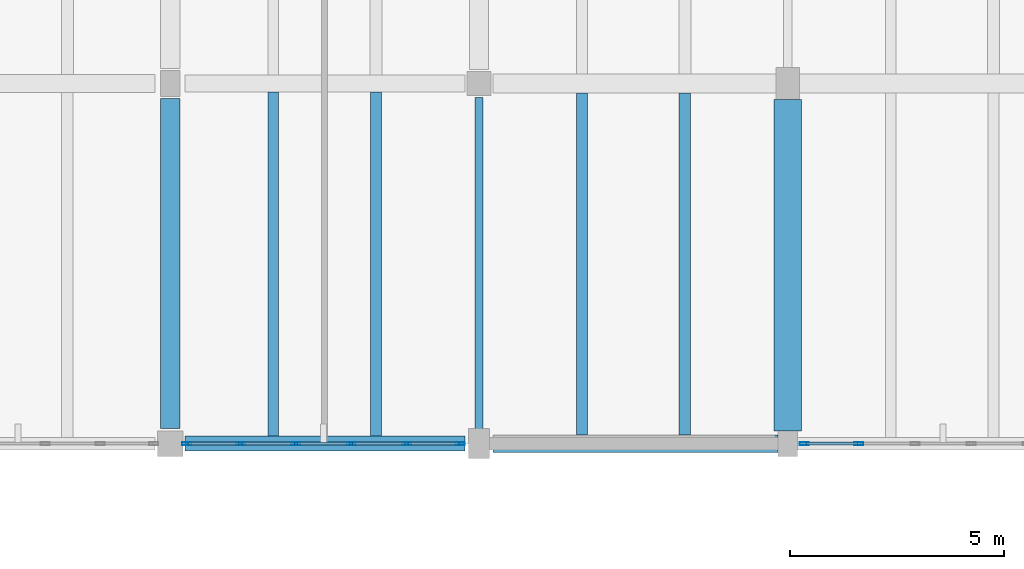
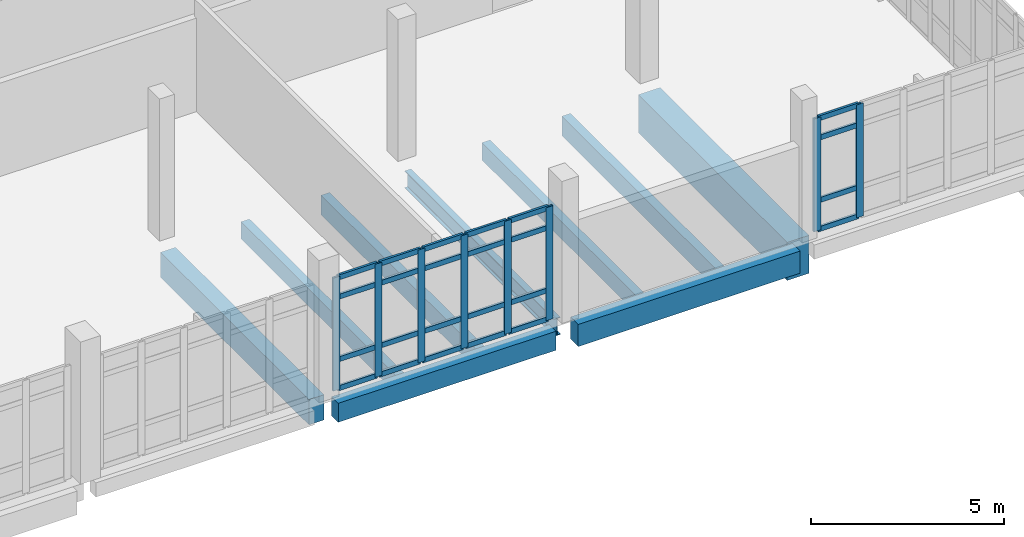
# One storey, part 33 of 57: 32 members, 9 beams, 2 elements without a shape of their own.
"""IFC4 building model written with IfcOpenShell, lengths in metres."""

from ifc_helpers import new_model, si_unit, direction, frame, origin, origin_2d, place, context, subcontext, project, spatial, rectangle, hollow_rectangle, i_section, extrude, material, material_profile, profile_set, type_object, element, aggregate, save


model = new_model("IFC4")

# Units and contexts
model_context = context("Model", 3, precision=1e-05, world=origin(), true_north=direction((0.0, 1.0)))
body_context = subcontext(model_context, "Body", "Model", "MODEL_VIEW")
ifc_project = project(units=[si_unit("LENGTHUNIT", "METRE"), si_unit("AREAUNIT", "SQUARE_METRE"), si_unit("VOLUMEUNIT", "CUBIC_METRE"), si_unit("PLANEANGLEUNIT", "RADIAN"), si_unit("MASSUNIT", "GRAM", prefix="KILO")], contexts=[model_context])

# Site, building, storey
site_placement = place(None, origin())
site = spatial("IfcSite", under=ifc_project, at=site_placement, CompositionType="ELEMENT")
building_placement = place(site_placement, origin())
building = spatial("IfcBuilding", under=site, at=building_placement, Name="Kalluvel Institute of Natural Sciences", CompositionType="ELEMENT")
storey_placement = place(building_placement, frame((0.0, 0.0, 23.39990234375)))
storey = spatial("IfcBuildingStorey", under=building, at=storey_placement, Name="L05", CompositionType="ELEMENT", Elevation=23.39990234375)

# Beams
ifc_material_1 = material(Name="Steel E350 Grade 350", Category="steel")
ifc_material_profile_1 = material_profile(ifc_material_1, i_section(OverallWidth=0.18994140625, OverallDepth=0.550048828125, WebThickness=0.01123046875, FlangeThickness=0.019287109375, FilletRadius=0.01806640625, at=origin_2d()), Name="ISMB 550")
ifc_profile_set_1 = profile_set([ifc_material_profile_1], Name="Steel E350 Grade 350")
beam_type_1 = type_object("IfcBeamType", Name="BM-ISMB550", PredefinedType="BEAM", material=ifc_profile_set_1)
beam_1_placement = place(storey_placement, frame((100.39990234375, 103.125, -0.594970703125), z_axis=(0.0, 1.0, 0.0), x_axis=(-1.0, 0.0, 0.0)))
element("IfcBeam", 1, at=beam_1_placement, inside=storey, type_object=beam_type_1, Name="L05 girder GIR-L05-NS-X1004-Y1028", PredefinedType="BEAM", context=body_context, shape_type="SweptSolid", body=[
    extrude(i_section(OverallWidth=0.18994140625, OverallDepth=0.550048828125, WebThickness=0.01123046875, FlangeThickness=0.019287109375, FilletRadius=0.01806640625, at=origin_2d()), origin(), (0.0, 0.0, 1.0), 7.75),
])
ifc_material_2 = material(Name="Concrete M40", Category="concrete")
ifc_material_profile_2 = material_profile(ifc_material_2, rectangle(XDim=0.449951171875, YDim=0.800048828125, at=origin_2d()), Name="RCB 450x800")
ifc_profile_set_2 = profile_set([ifc_material_profile_2], Name="Concrete M40")
beam_type_2 = type_object("IfcBeamType", Name="BM-RC450x800", PredefinedType="BEAM", material=ifc_profile_set_2)
beam_2_placement = place(storey_placement, frame((93.199951171875, 103.14990234375, -0.719970703125), z_axis=(0.0, 1.0, 0.0), x_axis=(-1.0, 0.0, 0.0)))
element("IfcBeam", 2, at=beam_2_placement, inside=storey, type_object=beam_type_2, Name="L05 girder GIR-L05-NS-X932-Y1028", PredefinedType="BEAM", context=body_context, shape_type="SweptSolid", body=[
    extrude(rectangle(XDim=0.449951171875, YDim=0.800048828125, at=origin_2d()), origin(), (0.0, 0.0, 1.0), 7.7001953125),
])
ifc_material_3 = material(Name="Concrete M50", Category="concrete")
ifc_material_profile_3 = material_profile(ifc_material_3, rectangle(XDim=0.64990234375, YDim=1.199951171875, at=origin_2d()), Name="RCB 650x1200")
ifc_profile_set_3 = profile_set([ifc_material_profile_3], Name="Concrete M50")
beam_type_3 = type_object("IfcBeamType", Name="BM-RC650x1200", PredefinedType="BEAM", material=ifc_profile_set_3)
beam_3_placement = place(storey_placement, frame((107.60009765625, 103.10009765625, -0.919921875), z_axis=(0.0, 1.0, 0.0), x_axis=(-1.0, 0.0, 0.0)))
element("IfcBeam", 3, at=beam_3_placement, inside=storey, type_object=beam_type_3, Name="L05 girder GIR-L05-NS-X1076-Y1028", PredefinedType="BEAM", context=body_context, shape_type="SweptSolid", body=[
    extrude(rectangle(XDim=0.64990234375, YDim=1.199951171875, at=origin_2d()), origin(), (0.0, 0.0, 1.0), 7.724853515625),
])

# Curtain wall, members
ifc_material_4 = material(Name="Aluminium AW-6063 T6", Category="aluminium")
curtain_wall_type = type_object("IfcCurtainWallType", Name="CW-WET-45", PredefinedType="USERDEFINED", material=ifc_material_4)
curtain_wall_1_placement = place(storey_placement, origin())
curtain_wall_1 = element("IfcCurtainWall", 4, at=curtain_wall_1_placement, inside=storey, type_object=curtain_wall_type, Name="L05 Gothic lancet curtain wall CWA-L05-X936-Y1028", ObjectType="UNITISED LANCET FACADE", PredefinedType="USERDEFINED")
ifc_material_profile_4 = material_profile(ifc_material_4, hollow_rectangle(XDim=0.070068359375, YDim=0.2099609375, WallThickness=0.0048828125, at=origin_2d()), Name="CWM 70x210")
ifc_profile_set_4 = profile_set([ifc_material_profile_4], Name="Aluminium AW-6063 T6")
member_type_1 = type_object("IfcMemberType", Name="CWM-70x210", PredefinedType="MULLION", material=ifc_profile_set_4)
member_1_placement = place(storey_placement, frame((93.5849609375, 102.800048828125, 0.0), z_axis=(0.0, 0.0, 1.0), x_axis=(0.0, 1.0, 0.0)))
member_1 = element("IfcMember", 5, at=member_1_placement, type_object=member_type_1, Name="CW-01 mullion 1", PredefinedType="MULLION", context=body_context, shape_type="SweptSolid", body=[
    extrude(hollow_rectangle(XDim=0.070068359375, YDim=0.2099609375, WallThickness=0.0048828125, at=origin_2d()), origin(), (0.0, 0.0, 1.0), 3.580078125),
])
member_2_placement = place(storey_placement, frame((94.840087890625, 102.800048828125, 0.0), z_axis=(0.0, 0.0, 1.0), x_axis=(0.0, 1.0, 0.0)))
member_2 = element("IfcMember", 6, at=member_2_placement, type_object=member_type_1, Name="CW-01 mullion 2", PredefinedType="MULLION", context=body_context, shape_type="SweptSolid", body=[
    extrude(hollow_rectangle(XDim=0.070068359375, YDim=0.2099609375, WallThickness=0.0048828125, at=origin_2d()), origin(), (0.0, 0.0, 1.0), 3.580078125),
])
member_3_placement = place(storey_placement, frame((96.1298828125, 102.800048828125, 0.0), z_axis=(0.0, 0.0, 1.0), x_axis=(0.0, 1.0, 0.0)))
member_3 = element("IfcMember", 7, at=member_3_placement, type_object=member_type_1, Name="CW-01 mullion 3", PredefinedType="MULLION", context=body_context, shape_type="SweptSolid", body=[
    extrude(hollow_rectangle(XDim=0.070068359375, YDim=0.2099609375, WallThickness=0.0048828125, at=origin_2d()), origin(), (0.0, 0.0, 1.0), 3.580078125),
])
member_4_placement = place(storey_placement, frame((97.419921875, 102.800048828125, 0.0), z_axis=(0.0, 0.0, 1.0), x_axis=(0.0, 1.0, 0.0)))
member_4 = element("IfcMember", 8, at=member_4_placement, type_object=member_type_1, Name="CW-01 mullion 4", PredefinedType="MULLION", context=body_context, shape_type="SweptSolid", body=[
    extrude(hollow_rectangle(XDim=0.070068359375, YDim=0.2099609375, WallThickness=0.0048828125, at=origin_2d()), origin(), (0.0, 0.0, 1.0), 3.580078125),
])
member_5_placement = place(storey_placement, frame((98.7099609375, 102.800048828125, 0.0), z_axis=(0.0, 0.0, 1.0), x_axis=(0.0, 1.0, 0.0)))
member_5 = element("IfcMember", 9, at=member_5_placement, type_object=member_type_1, Name="CW-01 mullion 5", PredefinedType="MULLION", context=body_context, shape_type="SweptSolid", body=[
    extrude(hollow_rectangle(XDim=0.070068359375, YDim=0.2099609375, WallThickness=0.0048828125, at=origin_2d()), origin(), (0.0, 0.0, 1.0), 3.580078125),
])
member_6_placement = place(storey_placement, frame((99.965087890625, 102.800048828125, 0.0), z_axis=(0.0, 0.0, 1.0), x_axis=(0.0, 1.0, 0.0)))
member_6 = element("IfcMember", 10, at=member_6_placement, type_object=member_type_1, Name="CW-01 mullion 6", PredefinedType="MULLION", context=body_context, shape_type="SweptSolid", body=[
    extrude(hollow_rectangle(XDim=0.070068359375, YDim=0.2099609375, WallThickness=0.0048828125, at=origin_2d()), origin(), (0.0, 0.0, 1.0), 3.580078125),
])

curtain_wall_2_placement = place(storey_placement, origin())
curtain_wall_2 = element("IfcCurtainWall", 11, at=curtain_wall_2_placement, inside=storey, type_object=curtain_wall_type, Name="L05 Gothic lancet curtain wall CWA-L05-X1080-Y1028", ObjectType="UNITISED LANCET FACADE", PredefinedType="USERDEFINED")
member_7_placement = place(storey_placement, frame((107.985107421875, 102.800048828125, 0.0), z_axis=(0.0, 0.0, 1.0), x_axis=(0.0, 1.0, 0.0)))
member_7 = element("IfcMember", 12, at=member_7_placement, type_object=member_type_1, Name="CW-01 mullion 1", PredefinedType="MULLION", context=body_context, shape_type="SweptSolid", body=[
    extrude(hollow_rectangle(XDim=0.070068359375, YDim=0.2099609375, WallThickness=0.0048828125, at=origin_2d()), origin(), (0.0, 0.0, 1.0), 3.580078125),
])
member_8_placement = place(storey_placement, frame((109.260009765625, 102.800048828125, 0.0), z_axis=(0.0, 0.0, 1.0), x_axis=(0.0, 1.0, 0.0)))
member_8 = element("IfcMember", 13, at=member_8_placement, type_object=member_type_1, Name="CW-01 mullion 2", PredefinedType="MULLION", context=body_context, shape_type="SweptSolid", body=[
    extrude(hollow_rectangle(XDim=0.070068359375, YDim=0.2099609375, WallThickness=0.0048828125, at=origin_2d()), origin(), (0.0, 0.0, 1.0), 3.580078125),
])

# Member
ifc_material_profile_5 = material_profile(ifc_material_4, hollow_rectangle(XDim=0.070068359375, YDim=0.159912109375, WallThickness=0.0048828125, at=origin_2d()), Name="CWT 70x160")
ifc_profile_set_5 = profile_set([ifc_material_profile_5], Name="Aluminium AW-6063 T6")
member_type_2 = type_object("IfcMemberType", Name="CWT-70x160", PredefinedType="USERDEFINED", material=ifc_profile_set_5)
member_9_placement = place(storey_placement, frame((93.6201171875, 102.800048828125, 0.03515625), z_axis=(1.0, 0.0, 0.0), x_axis=(0.0, 1.0, 0.0)))
member_9 = element("IfcMember", 14, at=member_9_placement, type_object=member_type_2, Name="CW-01 transom 1.1", ObjectType="TRANSOM", PredefinedType="USERDEFINED", context=body_context, shape_type="SweptSolid", body=[
    extrude(hollow_rectangle(XDim=0.070068359375, YDim=0.159912109375, WallThickness=0.0048828125, at=origin_2d()), origin(), (0.0, 0.0, 1.0), 1.184814453125),
])

member_10_placement = place(storey_placement, frame((93.6201171875, 102.800048828125, 0.9501953125), z_axis=(1.0, 0.0, 0.0), x_axis=(0.0, 1.0, 0.0)))
member_10 = element("IfcMember", 15, at=member_10_placement, type_object=member_type_2, Name="CW-01 transom 1.2", ObjectType="TRANSOM", PredefinedType="USERDEFINED", context=body_context, shape_type="SweptSolid", body=[
    extrude(hollow_rectangle(XDim=0.070068359375, YDim=0.159912109375, WallThickness=0.0048828125, at=origin_2d()), origin(), (0.0, 0.0, 1.0), 1.184814453125),
])

member_11_placement = place(storey_placement, frame((93.6201171875, 102.800048828125, 2.93017578125), z_axis=(1.0, 0.0, 0.0), x_axis=(0.0, 1.0, 0.0)))
member_11 = element("IfcMember", 16, at=member_11_placement, type_object=member_type_2, Name="CW-01 transom 1.3", ObjectType="TRANSOM", PredefinedType="USERDEFINED", context=body_context, shape_type="SweptSolid", body=[
    extrude(hollow_rectangle(XDim=0.070068359375, YDim=0.159912109375, WallThickness=0.0048828125, at=origin_2d()), origin(), (0.0, 0.0, 1.0), 1.184814453125),
])

member_12_placement = place(storey_placement, frame((93.6201171875, 102.800048828125, 3.545166015625), z_axis=(1.0, 0.0, 0.0), x_axis=(0.0, 1.0, 0.0)))
member_12 = element("IfcMember", 17, at=member_12_placement, type_object=member_type_2, Name="CW-01 transom 1.4", ObjectType="TRANSOM", PredefinedType="USERDEFINED", context=body_context, shape_type="SweptSolid", body=[
    extrude(hollow_rectangle(XDim=0.070068359375, YDim=0.159912109375, WallThickness=0.0048828125, at=origin_2d()), origin(), (0.0, 0.0, 1.0), 1.184814453125),
])

member_13_placement = place(storey_placement, frame((94.875, 102.800048828125, 0.03515625), z_axis=(1.0, 0.0, 0.0), x_axis=(0.0, 1.0, 0.0)))
member_13 = element("IfcMember", 18, at=member_13_placement, type_object=member_type_2, Name="CW-01 transom 2.1", ObjectType="TRANSOM", PredefinedType="USERDEFINED", context=body_context, shape_type="SweptSolid", body=[
    extrude(hollow_rectangle(XDim=0.070068359375, YDim=0.159912109375, WallThickness=0.0048828125, at=origin_2d()), origin(), (0.0, 0.0, 1.0), 1.219970703125),
])

member_14_placement = place(storey_placement, frame((94.875, 102.800048828125, 0.9501953125), z_axis=(1.0, 0.0, 0.0), x_axis=(0.0, 1.0, 0.0)))
member_14 = element("IfcMember", 19, at=member_14_placement, type_object=member_type_2, Name="CW-01 transom 2.2", ObjectType="TRANSOM", PredefinedType="USERDEFINED", context=body_context, shape_type="SweptSolid", body=[
    extrude(hollow_rectangle(XDim=0.070068359375, YDim=0.159912109375, WallThickness=0.0048828125, at=origin_2d()), origin(), (0.0, 0.0, 1.0), 1.219970703125),
])

member_15_placement = place(storey_placement, frame((94.875, 102.800048828125, 2.93017578125), z_axis=(1.0, 0.0, 0.0), x_axis=(0.0, 1.0, 0.0)))
member_15 = element("IfcMember", 20, at=member_15_placement, type_object=member_type_2, Name="CW-01 transom 2.3", ObjectType="TRANSOM", PredefinedType="USERDEFINED", context=body_context, shape_type="SweptSolid", body=[
    extrude(hollow_rectangle(XDim=0.070068359375, YDim=0.159912109375, WallThickness=0.0048828125, at=origin_2d()), origin(), (0.0, 0.0, 1.0), 1.219970703125),
])

member_16_placement = place(storey_placement, frame((94.875, 102.800048828125, 3.545166015625), z_axis=(1.0, 0.0, 0.0), x_axis=(0.0, 1.0, 0.0)))
member_16 = element("IfcMember", 21, at=member_16_placement, type_object=member_type_2, Name="CW-01 transom 2.4", ObjectType="TRANSOM", PredefinedType="USERDEFINED", context=body_context, shape_type="SweptSolid", body=[
    extrude(hollow_rectangle(XDim=0.070068359375, YDim=0.159912109375, WallThickness=0.0048828125, at=origin_2d()), origin(), (0.0, 0.0, 1.0), 1.219970703125),
])

member_17_placement = place(storey_placement, frame((96.1650390625, 102.800048828125, 0.03515625), z_axis=(1.0, 0.0, 0.0), x_axis=(0.0, 1.0, 0.0)))
member_17 = element("IfcMember", 22, at=member_17_placement, type_object=member_type_2, Name="CW-01 transom 3.1", ObjectType="TRANSOM", PredefinedType="USERDEFINED", context=body_context, shape_type="SweptSolid", body=[
    extrude(hollow_rectangle(XDim=0.070068359375, YDim=0.159912109375, WallThickness=0.0048828125, at=origin_2d()), origin(), (0.0, 0.0, 1.0), 1.219970703125),
])

member_18_placement = place(storey_placement, frame((96.1650390625, 102.800048828125, 0.9501953125), z_axis=(1.0, 0.0, 0.0), x_axis=(0.0, 1.0, 0.0)))
member_18 = element("IfcMember", 23, at=member_18_placement, type_object=member_type_2, Name="CW-01 transom 3.2", ObjectType="TRANSOM", PredefinedType="USERDEFINED", context=body_context, shape_type="SweptSolid", body=[
    extrude(hollow_rectangle(XDim=0.070068359375, YDim=0.159912109375, WallThickness=0.0048828125, at=origin_2d()), origin(), (0.0, 0.0, 1.0), 1.219970703125),
])

member_19_placement = place(storey_placement, frame((96.1650390625, 102.800048828125, 2.93017578125), z_axis=(1.0, 0.0, 0.0), x_axis=(0.0, 1.0, 0.0)))
member_19 = element("IfcMember", 24, at=member_19_placement, type_object=member_type_2, Name="CW-01 transom 3.3", ObjectType="TRANSOM", PredefinedType="USERDEFINED", context=body_context, shape_type="SweptSolid", body=[
    extrude(hollow_rectangle(XDim=0.070068359375, YDim=0.159912109375, WallThickness=0.0048828125, at=origin_2d()), origin(), (0.0, 0.0, 1.0), 1.219970703125),
])

member_20_placement = place(storey_placement, frame((96.1650390625, 102.800048828125, 3.545166015625), z_axis=(1.0, 0.0, 0.0), x_axis=(0.0, 1.0, 0.0)))
member_20 = element("IfcMember", 25, at=member_20_placement, type_object=member_type_2, Name="CW-01 transom 3.4", ObjectType="TRANSOM", PredefinedType="USERDEFINED", context=body_context, shape_type="SweptSolid", body=[
    extrude(hollow_rectangle(XDim=0.070068359375, YDim=0.159912109375, WallThickness=0.0048828125, at=origin_2d()), origin(), (0.0, 0.0, 1.0), 1.219970703125),
])

member_21_placement = place(storey_placement, frame((97.455078125, 102.800048828125, 0.03515625), z_axis=(1.0, 0.0, 0.0), x_axis=(0.0, 1.0, 0.0)))
member_21 = element("IfcMember", 26, at=member_21_placement, type_object=member_type_2, Name="CW-01 transom 4.1", ObjectType="TRANSOM", PredefinedType="USERDEFINED", context=body_context, shape_type="SweptSolid", body=[
    extrude(hollow_rectangle(XDim=0.070068359375, YDim=0.159912109375, WallThickness=0.0048828125, at=origin_2d()), origin(), (0.0, 0.0, 1.0), 1.219970703125),
])

member_22_placement = place(storey_placement, frame((97.455078125, 102.800048828125, 0.9501953125), z_axis=(1.0, 0.0, 0.0), x_axis=(0.0, 1.0, 0.0)))
member_22 = element("IfcMember", 27, at=member_22_placement, type_object=member_type_2, Name="CW-01 transom 4.2", ObjectType="TRANSOM", PredefinedType="USERDEFINED", context=body_context, shape_type="SweptSolid", body=[
    extrude(hollow_rectangle(XDim=0.070068359375, YDim=0.159912109375, WallThickness=0.0048828125, at=origin_2d()), origin(), (0.0, 0.0, 1.0), 1.219970703125),
])

member_23_placement = place(storey_placement, frame((97.455078125, 102.800048828125, 2.93017578125), z_axis=(1.0, 0.0, 0.0), x_axis=(0.0, 1.0, 0.0)))
member_23 = element("IfcMember", 28, at=member_23_placement, type_object=member_type_2, Name="CW-01 transom 4.3", ObjectType="TRANSOM", PredefinedType="USERDEFINED", context=body_context, shape_type="SweptSolid", body=[
    extrude(hollow_rectangle(XDim=0.070068359375, YDim=0.159912109375, WallThickness=0.0048828125, at=origin_2d()), origin(), (0.0, 0.0, 1.0), 1.219970703125),
])

member_24_placement = place(storey_placement, frame((97.455078125, 102.800048828125, 3.545166015625), z_axis=(1.0, 0.0, 0.0), x_axis=(0.0, 1.0, 0.0)))
member_24 = element("IfcMember", 29, at=member_24_placement, type_object=member_type_2, Name="CW-01 transom 4.4", ObjectType="TRANSOM", PredefinedType="USERDEFINED", context=body_context, shape_type="SweptSolid", body=[
    extrude(hollow_rectangle(XDim=0.070068359375, YDim=0.159912109375, WallThickness=0.0048828125, at=origin_2d()), origin(), (0.0, 0.0, 1.0), 1.219970703125),
])

member_25_placement = place(storey_placement, frame((98.7451171875, 102.800048828125, 0.03515625), z_axis=(1.0, 0.0, 0.0), x_axis=(0.0, 1.0, 0.0)))
member_25 = element("IfcMember", 30, at=member_25_placement, type_object=member_type_2, Name="CW-01 transom 5.1", ObjectType="TRANSOM", PredefinedType="USERDEFINED", context=body_context, shape_type="SweptSolid", body=[
    extrude(hollow_rectangle(XDim=0.070068359375, YDim=0.159912109375, WallThickness=0.0048828125, at=origin_2d()), origin(), (0.0, 0.0, 1.0), 1.184814453125),
])

member_26_placement = place(storey_placement, frame((98.7451171875, 102.800048828125, 0.9501953125), z_axis=(1.0, 0.0, 0.0), x_axis=(0.0, 1.0, 0.0)))
member_26 = element("IfcMember", 31, at=member_26_placement, type_object=member_type_2, Name="CW-01 transom 5.2", ObjectType="TRANSOM", PredefinedType="USERDEFINED", context=body_context, shape_type="SweptSolid", body=[
    extrude(hollow_rectangle(XDim=0.070068359375, YDim=0.159912109375, WallThickness=0.0048828125, at=origin_2d()), origin(), (0.0, 0.0, 1.0), 1.184814453125),
])

member_27_placement = place(storey_placement, frame((98.7451171875, 102.800048828125, 2.93017578125), z_axis=(1.0, 0.0, 0.0), x_axis=(0.0, 1.0, 0.0)))
member_27 = element("IfcMember", 32, at=member_27_placement, type_object=member_type_2, Name="CW-01 transom 5.3", ObjectType="TRANSOM", PredefinedType="USERDEFINED", context=body_context, shape_type="SweptSolid", body=[
    extrude(hollow_rectangle(XDim=0.070068359375, YDim=0.159912109375, WallThickness=0.0048828125, at=origin_2d()), origin(), (0.0, 0.0, 1.0), 1.184814453125),
])

member_28_placement = place(storey_placement, frame((98.7451171875, 102.800048828125, 3.545166015625), z_axis=(1.0, 0.0, 0.0), x_axis=(0.0, 1.0, 0.0)))
member_28 = element("IfcMember", 33, at=member_28_placement, type_object=member_type_2, Name="CW-01 transom 5.4", ObjectType="TRANSOM", PredefinedType="USERDEFINED", context=body_context, shape_type="SweptSolid", body=[
    extrude(hollow_rectangle(XDim=0.070068359375, YDim=0.159912109375, WallThickness=0.0048828125, at=origin_2d()), origin(), (0.0, 0.0, 1.0), 1.184814453125),
])

aggregate(curtain_wall_1, [member_1, member_2, member_3, member_4, member_5, member_6, member_9, member_10, member_11, member_12, member_13, member_14, member_15, member_16, member_17, member_18, member_19, member_20, member_21, member_22, member_23, member_24, member_25, member_26, member_27, member_28])

member_29_placement = place(storey_placement, frame((108.02001953125, 102.800048828125, 0.03515625), z_axis=(1.0, 0.0, 0.0), x_axis=(0.0, 1.0, 0.0)))
member_29 = element("IfcMember", 34, at=member_29_placement, type_object=member_type_2, Name="CW-01 transom 1.1", ObjectType="TRANSOM", PredefinedType="USERDEFINED", context=body_context, shape_type="SweptSolid", body=[
    extrude(hollow_rectangle(XDim=0.070068359375, YDim=0.159912109375, WallThickness=0.0048828125, at=origin_2d()), origin(), (0.0, 0.0, 1.0), 1.205078125),
])

member_30_placement = place(storey_placement, frame((108.02001953125, 102.800048828125, 0.9501953125), z_axis=(1.0, 0.0, 0.0), x_axis=(0.0, 1.0, 0.0)))
member_30 = element("IfcMember", 35, at=member_30_placement, type_object=member_type_2, Name="CW-01 transom 1.2", ObjectType="TRANSOM", PredefinedType="USERDEFINED", context=body_context, shape_type="SweptSolid", body=[
    extrude(hollow_rectangle(XDim=0.070068359375, YDim=0.159912109375, WallThickness=0.0048828125, at=origin_2d()), origin(), (0.0, 0.0, 1.0), 1.205078125),
])

member_31_placement = place(storey_placement, frame((108.02001953125, 102.800048828125, 2.93017578125), z_axis=(1.0, 0.0, 0.0), x_axis=(0.0, 1.0, 0.0)))
member_31 = element("IfcMember", 36, at=member_31_placement, type_object=member_type_2, Name="CW-01 transom 1.3", ObjectType="TRANSOM", PredefinedType="USERDEFINED", context=body_context, shape_type="SweptSolid", body=[
    extrude(hollow_rectangle(XDim=0.070068359375, YDim=0.159912109375, WallThickness=0.0048828125, at=origin_2d()), origin(), (0.0, 0.0, 1.0), 1.205078125),
])

member_32_placement = place(storey_placement, frame((108.02001953125, 102.800048828125, 3.545166015625), z_axis=(1.0, 0.0, 0.0), x_axis=(0.0, 1.0, 0.0)))
member_32 = element("IfcMember", 37, at=member_32_placement, type_object=member_type_2, Name="CW-01 transom 1.4", ObjectType="TRANSOM", PredefinedType="USERDEFINED", context=body_context, shape_type="SweptSolid", body=[
    extrude(hollow_rectangle(XDim=0.070068359375, YDim=0.159912109375, WallThickness=0.0048828125, at=origin_2d()), origin(), (0.0, 0.0, 1.0), 1.205078125),
])

aggregate(curtain_wall_2, [member_7, member_8, member_29, member_30, member_31, member_32])

# Beams
ifc_material_profile_6 = material_profile(ifc_material_2, rectangle(XDim=0.35009765625, YDim=0.60009765625, at=origin_2d()), Name="RCB 350x600")
ifc_profile_set_6 = profile_set([ifc_material_profile_6], Name="Concrete M40")
beam_type_4 = type_object("IfcBeamType", Name="SP-RC350x600", PredefinedType="SPANDREL", material=ifc_profile_set_6)
beam_4_placement = place(storey_placement, frame((93.550048828125, 102.800048828125, -0.619873046875), z_axis=(1.0, 0.0, 0.0), x_axis=(0.0, 1.0, 0.0)))
element("IfcBeam", 38, at=beam_4_placement, inside=storey, type_object=beam_type_4, Name="L05 girder GIR-L05-EW-X932-Y1028", PredefinedType="SPANDREL", context=body_context, shape_type="SweptSolid", body=[
    extrude(rectangle(XDim=0.35009765625, YDim=0.60009765625, at=origin_2d()), origin(), (0.0, 0.0, 1.0), 6.52490234375),
])
ifc_material_profile_7 = material_profile(ifc_material_2, rectangle(XDim=0.39990234375, YDim=0.699951171875, at=origin_2d()), Name="RCB 400x700")
ifc_profile_set_7 = profile_set([ifc_material_profile_7], Name="Concrete M40")
beam_type_5 = type_object("IfcBeamType", Name="SP-RC400x700", PredefinedType="SPANDREL", material=ifc_profile_set_7)
beam_5_placement = place(storey_placement, frame((100.72509765625, 102.800048828125, -0.669921875), z_axis=(1.0, 0.0, 0.0), x_axis=(0.0, 1.0, 0.0)))
element("IfcBeam", 39, at=beam_5_placement, inside=storey, type_object=beam_type_5, Name="L05 girder GIR-L05-EW-X1004-Y1028", PredefinedType="SPANDREL", context=body_context, shape_type="SweptSolid", body=[
    extrude(rectangle(XDim=0.39990234375, YDim=0.699951171875, at=origin_2d()), origin(), (0.0, 0.0, 1.0), 6.64990234375),
])
ifc_material_profile_8 = material_profile(ifc_material_2, rectangle(XDim=0.25, YDim=0.550048828125, at=origin_2d()), Name="WAF 250x550")
ifc_profile_set_8 = profile_set([ifc_material_profile_8], Name="Concrete M40")
beam_type_6 = type_object("IfcBeamType", Name="WJ-250x550", PredefinedType="JOIST", material=ifc_profile_set_8)
beam_6_placement = place(storey_placement, frame((95.60009765625, 102.97509765625, -0.594970703125), z_axis=(0.0, 1.0, 0.0), x_axis=(-1.0, 0.0, 0.0)))
element("IfcBeam", 40, at=beam_6_placement, inside=storey, type_object=beam_type_6, Name="L05 waffle joist RIB-L05-0425", PredefinedType="JOIST", context=body_context, shape_type="SweptSolid", body=[
    extrude(rectangle(XDim=0.25, YDim=0.550048828125, at=origin_2d()), origin(), (0.0, 0.0, 1.0), 8.02490234375),
])
beam_7_placement = place(storey_placement, frame((102.800048828125, 103.0, -0.594970703125), z_axis=(0.0, 1.0, 0.0), x_axis=(-1.0, 0.0, 0.0)))
element("IfcBeam", 41, at=beam_7_placement, inside=storey, type_object=beam_type_6, Name="L05 waffle joist RIB-L05-0431", PredefinedType="JOIST", context=body_context, shape_type="SweptSolid", body=[
    extrude(rectangle(XDim=0.25, YDim=0.550048828125, at=origin_2d()), origin(), (0.0, 0.0, 1.0), 7.97509765625),
])
ifc_material_profile_9 = material_profile(ifc_material_3, rectangle(XDim=0.260009765625, YDim=0.6201171875, at=origin_2d()), Name="WAF 260x620")
ifc_profile_set_9 = profile_set([ifc_material_profile_9], Name="Concrete M50")
beam_type_7 = type_object("IfcBeamType", Name="WJ-260x620", PredefinedType="JOIST", material=ifc_profile_set_9)
beam_8_placement = place(storey_placement, frame((98.0, 102.97509765625, -0.6298828125), z_axis=(0.0, 1.0, 0.0), x_axis=(-1.0, 0.0, 0.0)))
element("IfcBeam", 42, at=beam_8_placement, inside=storey, type_object=beam_type_7, Name="L05 waffle joist RIB-L05-0426", PredefinedType="JOIST", context=body_context, shape_type="SweptSolid", body=[
    extrude(rectangle(XDim=0.260009765625, YDim=0.6201171875, at=origin_2d()), origin(), (0.0, 0.0, 1.0), 8.02490234375),
])
beam_9_placement = place(storey_placement, frame((105.199951171875, 103.0, -0.6298828125), z_axis=(0.0, 1.0, 0.0), x_axis=(-1.0, 0.0, 0.0)))
element("IfcBeam", 43, at=beam_9_placement, inside=storey, type_object=beam_type_7, Name="L05 waffle joist RIB-L05-0432", PredefinedType="JOIST", context=body_context, shape_type="SweptSolid", body=[
    extrude(rectangle(XDim=0.260009765625, YDim=0.6201171875, at=origin_2d()), origin(), (0.0, 0.0, 1.0), 7.97509765625),
])

save(model, "model.ifc")
